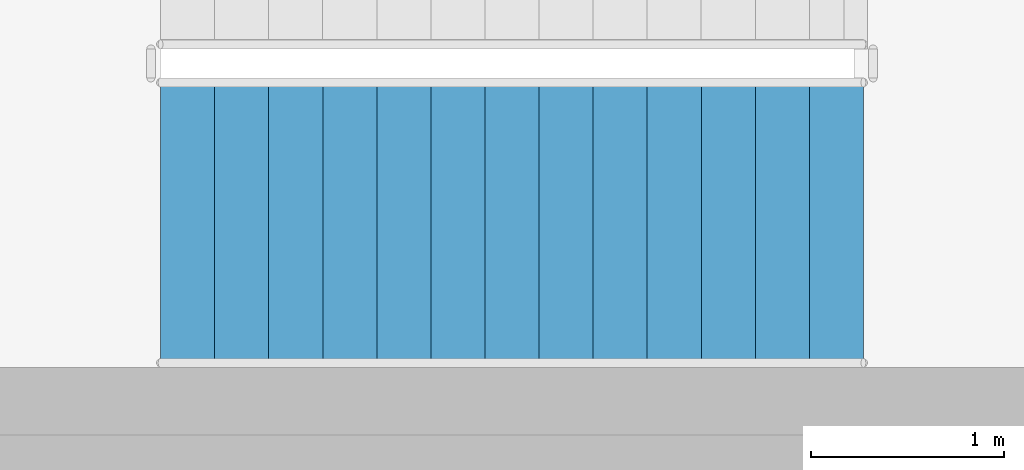
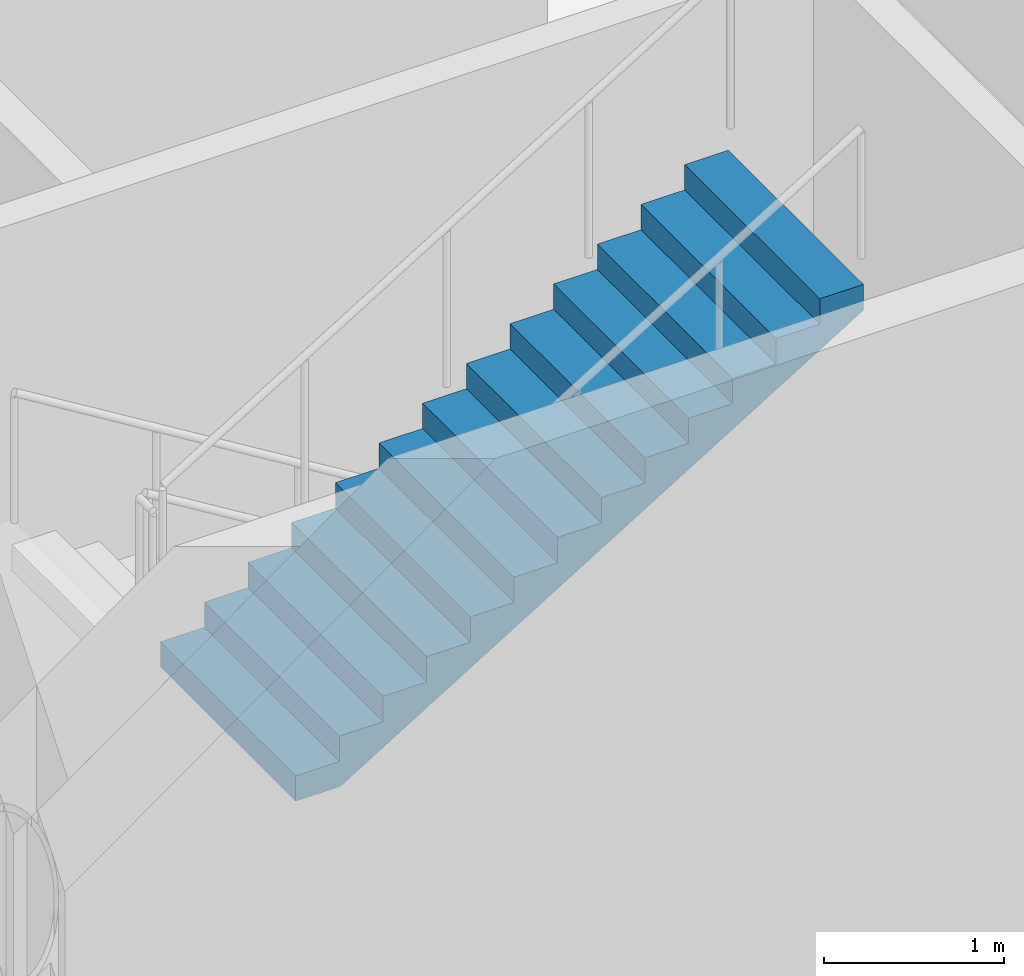
# One storey, part 55 of 91: 1 stair flight, 1 element without a shape of its own.
"""IFC4 building model written with IfcOpenShell, lengths in metres."""

import ifcopenshell
import ifcopenshell.guid

model = None  # the IFC model being written
_history = None  # IfcOwnerHistory: only IFC2X3 demands one
_inside = {}  # id of a spatial element -> (the spatial element, [elements in it])
_under = {}  # id of a project, library or spatial element -> (it, [spatial elements below it])
_declared = {}  # id of a project -> (the project, [libraries it declares])
_typed = {}  # id of a type object -> (the type object, [elements of that type])
_made_of = {}  # id of a material, layer set ... -> (it, [elements and type objects made of it])


def new_model(schema):
    """Start an empty IFC model of exactly this schema.

    Asked for "IFC4X3", IfcOpenShell would pick the latest addendum, in which some entities
    have other attributes; the version numbers below select the first issue.
    IFC2X3 requires an IfcOwnerHistory on every rooted entity: one is made here for all.
    """
    global model, _history
    if schema == "IFC4X3":
        model = ifcopenshell.file(schema_version=(4, 3, 0, 0))
    else:
        model = ifcopenshell.file(schema=schema)
    _inside.clear()
    _under.clear()
    _declared.clear()
    _typed.clear()
    _made_of.clear()
    _history = None
    if model.schema == "IFC2X3":
        org = make("IfcOrganization", Name="unknown")
        user = make(
            "IfcPersonAndOrganization",
            ThePerson=make("IfcPerson", FamilyName="unknown"),
            TheOrganization=org,
        )
        app = make(
            "IfcApplication",
            ApplicationDeveloper=org,
            Version="unknown",
            ApplicationFullName="unknown",
            ApplicationIdentifier="unknown",
        )
        _history = make(
            "IfcOwnerHistory",
            OwningUser=user,
            OwningApplication=app,
            ChangeAction="ADDED",
            CreationDate=0,
        )
    return model


def make(cls, **values):
    """One entity of the class cls with the attributes given. An attribute that is None is left unset."""
    return model.create_entity(
        cls, **{name: value for name, value in values.items() if value is not None}
    )


def rooted(cls, **values):
    """An entity with a GlobalId (a new one), such as an element, a storey or a relation."""
    return make(cls, GlobalId=ifcopenshell.guid.new(), OwnerHistory=_history, **values)


def si_unit(unit_type, name, prefix=None):
    """IfcSIUnit, for example si_unit("LENGTHUNIT", "METRE", prefix="MILLI")."""
    return make("IfcSIUnit", UnitType=unit_type, Prefix=prefix, Name=name)


def assignment(units):
    """IfcUnitAssignment: the units of a project."""
    return None if units is None else make("IfcUnitAssignment", Units=units)


def point(xyz):
    """IfcCartesianPoint."""
    return None if xyz is None else make("IfcCartesianPoint", Coordinates=xyz)


def direction(xyz):
    """IfcDirection."""
    return None if xyz is None else make("IfcDirection", DirectionRatios=xyz)


def frame(location, z_axis=None, x_axis=None):
    """IfcAxis2Placement3D, a coordinate frame: its origin and axes. An axis left out is left unset."""
    return make(
        "IfcAxis2Placement3D",
        Location=point(location),
        Axis=direction(z_axis),
        RefDirection=direction(x_axis),
    )


def origin():
    """The frame at (0, 0, 0) with its axes left unset."""
    return frame((0.0, 0.0, 0.0))


def place(relative_to, where):
    """IfcLocalPlacement: puts the frame where relative to a parent placement (None: the world)."""
    return make(
        "IfcLocalPlacement", PlacementRelTo=relative_to, RelativePlacement=where
    )


def context(
    kind, dimensions, precision=None, world=None, true_north=None, identifier=None
):
    """IfcGeometricRepresentationContext, for example the 3D "Model" context."""
    return make(
        "IfcGeometricRepresentationContext",
        ContextIdentifier=identifier,
        ContextType=kind,
        CoordinateSpaceDimension=dimensions,
        Precision=precision,
        WorldCoordinateSystem=world,
        TrueNorth=true_north,
    )


def subcontext(parent, identifier, kind, view, scale=None):
    """IfcGeometricRepresentationSubContext, for example "Body" below "Model"."""
    return make(
        "IfcGeometricRepresentationSubContext",
        ContextIdentifier=identifier,
        ContextType=kind,
        ParentContext=parent,
        TargetScale=scale,
        TargetView=view,
    )


def project(units=None, contexts=None):
    """IfcProject with its units and contexts."""
    return rooted(
        "IfcProject",
        Name="project",
        RepresentationContexts=contexts,
        UnitsInContext=assignment(units),
    )


def spatial(cls, under=None, at=None, **own):
    """A site, building, storey or space (cls), placed at a placement, below another one or the project."""
    s = rooted(cls, ObjectPlacement=at, **own)
    if under is not None:
        _under.setdefault(under.id(), (under, []))[1].append(s)
    return s


def point_list(points):
    """IfcCartesianPointList2D or 3D."""
    cls = (
        "IfcCartesianPointList2D" if len(points[0]) == 2 else "IfcCartesianPointList3D"
    )
    return make(cls, CoordList=points)


def triangles(points, corners, closed=None, point_numbers=None):
    """IfcTriangulatedFaceSet: each triangle names its three corners, points numbered from 1."""
    return make(
        "IfcTriangulatedFaceSet",
        Coordinates=point_list(points),
        Closed=closed,
        CoordIndex=corners,
        PnIndex=point_numbers,
    )


def shape(context_of_items, identifier, shape_type, items):
    """IfcShapeRepresentation: the items that make up one representation, for example the "Body"."""
    return make(
        "IfcShapeRepresentation",
        ContextOfItems=context_of_items,
        RepresentationIdentifier=identifier,
        RepresentationType=shape_type,
        Items=items,
    )


def material(Name=None, Category=None):
    """IfcMaterial."""
    return make("IfcMaterial", Name=Name, Category=Category)


def made_of(thing, what):
    """Note that an element or type object is made of a material, layer set ...; save() writes the relation."""
    if what is not None:
        _made_of.setdefault(what.id(), (what, []))[1].append(thing)
    return thing


def type_object(cls, material=None, **own):
    """A type object (cls), such as IfcWallType, which elements share."""
    return made_of(rooted(cls, **own), material)


def element(
    cls,
    number,
    at=None,
    inside=None,
    cuts=None,
    type_object=None,
    material=None,
    context=None,
    identifier="Body",
    shape_type=None,
    held_by="IfcProductDefinitionShape",
    body=None,
    shapes=None,
    **own,
):
    """One element of the class cls, such as IfcWall. Its Tag is "e" and its number.

    at: its placement. inside: the storey or other place that contains it. cuts: it is an
    opening in that element (IfcRelVoidsElement). A single representation is given by context,
    identifier, shape_type and body (its items); several are given by shapes. held_by: the class
    of the entity that holds the representations. save() writes the other relations.
    """
    e = rooted(cls, Tag="e%d" % number, ObjectPlacement=at, **own)
    if body is not None:
        shapes = [shape(context, identifier, shape_type, body)]
    if shapes is not None:
        e.Representation = make(held_by, Representations=shapes)
    if inside is not None:
        _inside.setdefault(inside.id(), (inside, []))[1].append(e)
    if cuts is not None:
        rooted(
            "IfcRelVoidsElement", RelatingBuildingElement=cuts, RelatedOpeningElement=e
        )
    if type_object is not None:
        _typed.setdefault(type_object.id(), (type_object, []))[1].append(e)
    return made_of(e, material)


def aggregate(whole, parts):
    """IfcRelAggregates: a whole, such as a stair, and the parts it consists of."""
    return rooted("IfcRelAggregates", RelatingObject=whole, RelatedObjects=parts)


def save(model, path):
    """Write the relations noted so far, then the file.

    IfcRelAggregates (storeys below a building ...), IfcRelContainedInSpatialStructure (elements
    in a storey), IfcRelDefinesByType, IfcRelAssociatesMaterial and IfcRelDeclares: one each for
    every whole, place, type object, material and project.
    """
    for whole, parts in _under.values():
        aggregate(whole, parts)
    for where, things in _inside.values():
        rooted(
            "IfcRelContainedInSpatialStructure",
            RelatedElements=things,
            RelatingStructure=where,
        )
    for kind, things in _typed.values():
        rooted("IfcRelDefinesByType", RelatedObjects=things, RelatingType=kind)
    for what, things in _made_of.values():
        rooted("IfcRelAssociatesMaterial", RelatedObjects=things, RelatingMaterial=what)
    for by, libraries in _declared.values():
        rooted("IfcRelDeclares", RelatingContext=by, RelatedDefinitions=libraries)
    model.write(path)


model = new_model("IFC4")

# Units and contexts
model_context = context("Model", 3, precision=1e-05, world=origin(), true_north=direction((0.0, 1.0)))
body_context = subcontext(model_context, "Body", "Model", "MODEL_VIEW")
ifc_project = project(units=[si_unit("LENGTHUNIT", "METRE"), si_unit("AREAUNIT", "SQUARE_METRE"), si_unit("VOLUMEUNIT", "CUBIC_METRE"), si_unit("PLANEANGLEUNIT", "RADIAN"), si_unit("MASSUNIT", "GRAM", prefix="KILO")], contexts=[model_context])

# Site, building, storey
site_placement = place(None, origin())
site = spatial("IfcSite", under=ifc_project, at=site_placement, CompositionType="ELEMENT")
building_placement = place(site_placement, origin())
building = spatial("IfcBuilding", under=site, at=building_placement, Name="Magnolia Steps Interchange", CompositionType="ELEMENT")
storey_placement = place(building_placement, origin())
storey = spatial("IfcBuildingStorey", under=building, at=storey_placement, Name="L00", CompositionType="ELEMENT", Elevation=0.0)

# Stair, stair flight
ifc_material_1 = material(Name="Concrete C40", Category="concrete")
stair_type = type_object("IfcStairType", Name="Exit stair 1500", PredefinedType="HALF_TURN_STAIR", material=ifc_material_1)
stair_placement = place(storey_placement, origin())
stair = element("IfcStair", 1, at=stair_placement, inside=storey, type_object=stair_type, Name="L00 Stair 5", PredefinedType="HALF_TURN_STAIR")
ifc_material_2 = material(Name="Concrete C40", Category="concrete")
stair_flight_type = type_object("IfcStairFlightType", Name="Exit stair flight", PredefinedType="STRAIGHT", material=ifc_material_2)
stair_flight_placement = place(storey_placement, frame((55.360107421875, 43.64990234375, 2.39990234375), z_axis=(0.0, 0.0, 1.0), x_axis=(1.0, 0.0, 0.0)))
stair_flight = element("IfcStairFlight", 2, at=stair_flight_placement, type_object=stair_flight_type, Name="Stair 5 flight 2", NumberOfRisers=14, NumberOfTreads=13, PredefinedType="STRAIGHT", RiserHeight=0.171428571, TreadLength=0.28, context=body_context, shape_type="Tessellation", body=[
    triangles([(0.0, -0.75, 0.0), (0.287109375, -0.75, 0.0), (3.639892578125, -0.75, 2.052734375), (3.639892578125, -0.75, 2.228515625), (3.360107421875, -0.75, 2.228515625), (3.360107421875, -0.75, 2.05712890625), (3.080078125, -0.75, 2.05712890625), (3.080078125, -0.75, 1.8857421875), (2.800048828125, -0.75, 1.8857421875), (2.800048828125, -0.75, 1.71435546875), (2.52001953125, -0.75, 1.71435546875), (2.52001953125, -0.75, 1.54296875), (2.239990234375, -0.75, 1.54296875), (2.239990234375, -0.75, 1.371337890625), (1.9599609375, -0.75, 1.371337890625), (1.9599609375, -0.75, 1.199951171875), (1.679931640625, -0.75, 1.199951171875), (1.679931640625, -0.75, 1.028564453125), (1.39990234375, -0.75, 1.028564453125), (1.39990234375, -0.75, 0.857177734375), (1.1201171875, -0.75, 0.857177734375), (1.1201171875, -0.75, 0.685791015625), (0.840087890625, -0.75, 0.685791015625), (0.840087890625, -0.75, 0.514404296875), (0.56005859375, -0.75, 0.514404296875), (0.56005859375, -0.75, 0.3427734375), (0.280029296875, -0.75, 0.3427734375), (0.280029296875, -0.75, 0.17138671875), (0.0, -0.75, 0.17138671875), (0.0, 0.75, 0.0), (0.287109375, 0.75, 0.0), (3.639892578125, 0.75, 2.052734375), (3.639892578125, 0.75, 2.228515625), (3.360107421875, 0.75, 2.228515625), (3.360107421875, 0.75, 2.05712890625), (3.080078125, 0.75, 2.05712890625), (3.080078125, 0.75, 1.8857421875), (2.800048828125, 0.75, 1.8857421875), (2.800048828125, 0.75, 1.71435546875), (2.52001953125, 0.75, 1.71435546875), (2.52001953125, 0.75, 1.54296875), (2.239990234375, 0.75, 1.54296875), (2.239990234375, 0.75, 1.371337890625), (1.9599609375, 0.75, 1.371337890625), (1.9599609375, 0.75, 1.199951171875), (1.679931640625, 0.75, 1.199951171875), (1.679931640625, 0.75, 1.028564453125), (1.39990234375, 0.75, 1.028564453125), (1.39990234375, 0.75, 0.857177734375), (1.1201171875, 0.75, 0.857177734375), (1.1201171875, 0.75, 0.685791015625), (0.840087890625, 0.75, 0.685791015625), (0.840087890625, 0.75, 0.514404296875), (0.56005859375, 0.75, 0.514404296875), (0.56005859375, 0.75, 0.3427734375), (0.280029296875, 0.75, 0.3427734375), (0.280029296875, 0.75, 0.17138671875), (0.0, 0.75, 0.17138671875), (0.0, 0.0, 0.0), (0.0, 0.0, 0.0428466796875), (0.0, 0.0, 0.085693359375), (0.0, 0.0, 0.1285400390625), (0.0, 0.0, 0.17138671875), (0.0, -0.05, 0.0), (0.0, -0.05, 0.17138671875), (0.0, 0.05, 0.0), (0.0, 0.05, 0.17138671875), (0.046671549479166664, 0.0, 0.17138671875), (0.09334309895833333, 0.0, 0.17138671875), (0.1400146484375, 0.0, 0.17138671875), (0.18668619791666666, 0.0, 0.17138671875), (0.23335774739583334, 0.0, 0.17138671875), (0.280029296875, 0.0, 0.17138671875), (0.280029296875, -0.05, 0.17138671875), (0.280029296875, 0.05, 0.17138671875), (0.280029296875, 0.0, 0.2142333984375), (0.280029296875, 0.0, 0.257080078125), (0.280029296875, 0.0, 0.2999267578125), (0.280029296875, 0.0, 0.3427734375), (0.280029296875, -0.05, 0.3427734375), (0.280029296875, 0.05, 0.3427734375), (0.3267008463541667, 0.0, 0.3427734375), (0.3733723958333333, 0.0, 0.3427734375), (0.4200439453125, 0.0, 0.3427734375), (0.46671549479166663, 0.0, 0.3427734375), (0.5133870442708334, 0.0, 0.3427734375), (0.56005859375, 0.0, 0.3427734375), (0.56005859375, -0.05, 0.3427734375), (0.56005859375, 0.05, 0.3427734375), (0.56005859375, 0.0, 0.38568115234375), (0.56005859375, 0.0, 0.4285888671875), (0.56005859375, 0.0, 0.47149658203125), (0.56005859375, 0.0, 0.514404296875), (0.56005859375, -0.05, 0.514404296875), (0.56005859375, 0.05, 0.514404296875), (0.6067301432291666, 0.0, 0.514404296875), (0.6534016927083334, 0.0, 0.514404296875), (0.7000732421875, 0.0, 0.514404296875), (0.7467447916666666, 0.0, 0.514404296875), (0.7934163411458334, 0.0, 0.514404296875), (0.840087890625, 0.0, 0.514404296875), (0.840087890625, -0.05, 0.514404296875), (0.840087890625, 0.05, 0.514404296875), (0.840087890625, 0.0, 0.5572509765625), (0.840087890625, 0.0, 0.60009765625), (0.840087890625, 0.0, 0.6429443359375), (0.840087890625, 0.0, 0.685791015625), (0.840087890625, -0.05, 0.685791015625), (0.840087890625, 0.05, 0.685791015625), (0.8867594401041666, 0.0, 0.685791015625), (0.9334309895833334, 0.0, 0.685791015625), (0.9801025390625, 0.0, 0.685791015625), (1.0267740885416667, 0.0, 0.685791015625), (1.0734456380208333, 0.0, 0.685791015625), (1.1201171875, 0.0, 0.685791015625), (1.1201171875, -0.05, 0.685791015625), (1.1201171875, 0.05, 0.685791015625), (1.1201171875, 0.0, 0.7286376953125), (1.1201171875, 0.0, 0.771484375), (1.1201171875, 0.0, 0.8143310546875), (1.1201171875, 0.0, 0.857177734375), (1.1201171875, -0.05, 0.857177734375), (1.1201171875, 0.05, 0.857177734375), (1.1900634765625, 0.0, 0.857177734375), (1.260009765625, 0.0, 0.857177734375), (1.3299560546875, 0.0, 0.857177734375), (1.39990234375, 0.0, 0.857177734375), (1.39990234375, -0.05, 0.857177734375), (1.39990234375, 0.05, 0.857177734375), (1.39990234375, 0.0, 0.9000244140625), (1.39990234375, 0.0, 0.94287109375), (1.39990234375, 0.0, 0.9857177734375), (1.39990234375, 0.0, 1.028564453125), (1.39990234375, -0.05, 1.028564453125), (1.39990234375, 0.05, 1.028564453125), (1.4465738932291667, 0.0, 1.028564453125), (1.4932454427083333, 0.0, 1.028564453125), (1.5399169921875, 0.0, 1.028564453125), (1.5865885416666667, 0.0, 1.028564453125), (1.6332600911458333, 0.0, 1.028564453125), (1.679931640625, 0.0, 1.028564453125), (1.679931640625, -0.05, 1.028564453125), (1.679931640625, 0.05, 1.028564453125), (1.679931640625, 0.0, 1.0714111328125), (1.679931640625, 0.0, 1.1142578125), (1.679931640625, 0.0, 1.1571044921875), (1.679931640625, 0.0, 1.199951171875), (1.679931640625, -0.05, 1.199951171875), (1.679931640625, 0.05, 1.199951171875), (1.7266031901041667, 0.0, 1.199951171875), (1.7732747395833333, 0.0, 1.199951171875), (1.8199462890625, 0.0, 1.199951171875), (1.8666178385416667, 0.0, 1.199951171875), (1.9132893880208333, 0.0, 1.199951171875), (1.9599609375, 0.0, 1.199951171875), (1.9599609375, -0.05, 1.199951171875), (1.9599609375, 0.05, 1.199951171875), (1.9599609375, 0.0, 1.2427978515625), (1.9599609375, 0.0, 1.28564453125), (1.9599609375, 0.0, 1.3284912109375), (1.9599609375, 0.0, 1.371337890625), (1.9599609375, -0.05, 1.371337890625), (1.9599609375, 0.05, 1.371337890625), (2.0066324869791665, 0.0, 1.371337890625), (2.0533040364583335, 0.0, 1.371337890625), (2.0999755859375, 0.0, 1.371337890625), (2.1466471354166665, 0.0, 1.371337890625), (2.1933186848958335, 0.0, 1.371337890625), (2.239990234375, 0.0, 1.371337890625), (2.239990234375, -0.05, 1.371337890625), (2.239990234375, 0.05, 1.371337890625), (2.239990234375, 0.0, 1.41424560546875), (2.239990234375, 0.0, 1.4571533203125), (2.239990234375, 0.0, 1.50006103515625), (2.239990234375, 0.0, 1.54296875), (2.239990234375, -0.05, 1.54296875), (2.239990234375, 0.05, 1.54296875), (2.2866617838541665, 0.0, 1.54296875), (2.3333333333333335, 0.0, 1.54296875), (2.3800048828125, 0.0, 1.54296875), (2.4266764322916665, 0.0, 1.54296875), (2.4733479817708335, 0.0, 1.54296875), (2.52001953125, 0.0, 1.54296875), (2.52001953125, -0.05, 1.54296875), (2.52001953125, 0.05, 1.54296875), (2.52001953125, 0.0, 1.5858154296875), (2.52001953125, 0.0, 1.628662109375), (2.52001953125, 0.0, 1.6715087890625), (2.52001953125, 0.0, 1.71435546875), (2.52001953125, -0.05, 1.71435546875), (2.52001953125, 0.05, 1.71435546875), (2.5666910807291665, 0.0, 1.71435546875), (2.6133626302083335, 0.0, 1.71435546875), (2.6600341796875, 0.0, 1.71435546875), (2.7067057291666665, 0.0, 1.71435546875), (2.7533772786458335, 0.0, 1.71435546875), (2.800048828125, 0.0, 1.71435546875), (2.800048828125, -0.05, 1.71435546875), (2.800048828125, 0.05, 1.71435546875), (2.800048828125, 0.0, 1.7572021484375), (2.800048828125, 0.0, 1.800048828125), (2.800048828125, 0.0, 1.8428955078125), (2.800048828125, 0.0, 1.8857421875), (2.800048828125, -0.05, 1.8857421875), (2.800048828125, 0.05, 1.8857421875), (2.8467203776041665, 0.0, 1.8857421875), (2.8933919270833335, 0.0, 1.8857421875), (2.9400634765625, 0.0, 1.8857421875), (2.9867350260416665, 0.0, 1.8857421875), (3.0334065755208335, 0.0, 1.8857421875), (3.080078125, 0.0, 1.8857421875), (3.080078125, -0.05, 1.8857421875), (3.080078125, 0.05, 1.8857421875), (3.080078125, 0.0, 1.9285888671875), (3.080078125, 0.0, 1.971435546875), (3.080078125, 0.0, 2.0142822265625), (3.080078125, 0.0, 2.05712890625), (3.080078125, -0.05, 2.05712890625), (3.080078125, 0.05, 2.05712890625), (3.1267496744791665, 0.0, 2.05712890625), (3.1734212239583335, 0.0, 2.05712890625), (3.2200927734375, 0.0, 2.05712890625), (3.2667643229166665, 0.0, 2.05712890625), (3.3134358723958335, 0.0, 2.05712890625), (3.360107421875, 0.0, 2.05712890625), (3.360107421875, -0.05, 2.05712890625), (3.360107421875, 0.05, 2.05712890625), (3.360107421875, 0.0, 2.0999755859375), (3.360107421875, 0.0, 2.142822265625), (3.360107421875, 0.0, 2.1856689453125), (3.360107421875, 0.0, 2.228515625), (3.360107421875, -0.05, 2.228515625), (3.360107421875, 0.05, 2.228515625), (3.4300537109375, 0.0, 2.228515625), (3.5, 0.0, 2.228515625), (3.5699462890625, 0.0, 2.228515625), (3.639892578125, 0.0, 2.228515625), (3.639892578125, -0.05, 2.228515625), (3.639892578125, 0.05, 2.228515625), (3.639892578125, 0.0, 2.1845703125), (3.639892578125, 0.0, 2.140625), (3.639892578125, 0.0, 2.0966796875), (3.639892578125, 0.0, 2.052734375), (3.639892578125, -0.05, 2.052734375), (3.639892578125, 0.05, 2.052734375), (3.582085971174569, 0.0, 2.0173424030172415), (3.524279364224138, 0.0, 1.9819504310344827), (3.466472757273707, 0.0, 1.9465584590517242), (3.408666150323276, 0.0, 1.9111664870689655), (3.3508595433728448, 0.0, 1.8757745150862069), (3.2930529364224137, 0.0, 1.8403825431034484), (3.2352463294719827, 0.0, 1.8049905711206897), (3.1774397225215516, 0.0, 1.769598599137931), (3.1196331155711206, 0.0, 1.7342066271551724), (3.0618265086206895, 0.0, 1.6988146551724137), (3.004019901670259, 0.0, 1.6634226831896552), (2.9462132947198274, 0.0, 1.6280307112068966), (2.888406687769397, 0.0, 1.592638739224138), (2.8306000808189653, 0.0, 1.5572467672413794), (2.7727934738685347, 0.0, 1.5218547952586206), (2.714986866918103, 0.0, 1.486462823275862), (2.6571802599676726, 0.0, 1.4510708512931034), (2.599373653017241, 0.0, 1.4156788793103448), (2.5415670460668105, 0.0, 1.3802869073275863), (2.483760439116379, 0.0, 1.3448949353448276), (2.4259538321659484, 0.0, 1.309502963362069), (2.3681472252155173, 0.0, 1.2741109913793105), (2.3103406182650863, 0.0, 1.2387190193965516), (2.2525340113146552, 0.0, 1.2033270474137931), (2.194727404364224, 0.0, 1.1679350754310345), (2.136920797413793, 0.0, 1.1325431034482758), (2.079114190463362, 0.0, 1.0971511314655173), (2.021307583512931, 0.0, 1.0617591594827587), (1.9635009765625, 0.0, 1.0263671875), (1.905694369612069, 0.0, 0.9909752155172413), (1.847887762661638, 0.0, 0.9555832435344827), (1.7900811557112069, 0.0, 0.9201912715517242), (1.7322745487607758, 0.0, 0.8847992995689655), (1.6744679418103448, 0.0, 0.8494073275862069), (1.6166613348599137, 0.0, 0.8140153556034482), (1.5588547279094827, 0.0, 0.7786233836206897), (1.5010481209590516, 0.0, 0.743231411637931), (1.4432415140086206, 0.0, 0.7078394396551724), (1.3854349070581895, 0.0, 0.6724474676724137), (1.3276283001077585, 0.0, 0.6370554956896552), (1.2698216931573274, 0.0, 0.6016635237068966), (1.2120150862068964, 0.0, 0.5662715517241379), (1.1542084792564653, 0.0, 0.5308795797413792), (1.0964018723060347, 0.0, 0.4954876077586208), (1.0385952653556036, 0.0, 0.4600956357758621), (0.9807886584051726, 0.0, 0.4247036637931034), (0.9229820514547415, 0.0, 0.38931169181034475), (0.8651754445043105, 0.0, 0.3539197198275863), (0.8073688375538794, 0.0, 0.3185277478448276), (0.7495622306034484, 0.0, 0.28313577586206895), (0.6917556236530173, 0.0, 0.24774380387931028), (0.6339490167025863, 0.0, 0.21235183189655182), (0.5761424097521552, 0.0, 0.17695985991379315), (0.5183358028017242, 0.0, 0.14156788793103448), (0.46052919585129315, 0.0, 0.1061759159482758), (0.4027225889008621, 0.0, 0.07078394396551735), (0.34491598195043105, 0.0, 0.03539197198275845), (0.287109375, 0.0, 0.0), (0.287109375, -0.05, 0.0), (0.287109375, 0.05, 0.0), (0.2392578125, 0.0, 0.0), (0.19140625, 0.0, 0.0), (0.1435546875, 0.0, 0.0), (0.095703125, 0.0, 0.0), (0.0478515625, 0.0, 0.0)], [[1, 2, 3], [3, 4, 5], [3, 5, 6], [3, 6, 7], [3, 7, 8], [8, 9, 10], [3, 8, 10], [10, 11, 12], [3, 10, 12], [12, 13, 14], [3, 12, 14], [14, 15, 16], [3, 14, 16], [16, 17, 18], [3, 16, 18], [18, 19, 20], [3, 18, 20], [20, 21, 22], [3, 20, 22], [22, 23, 24], [3, 22, 24], [24, 25, 26], [3, 24, 26], [26, 27, 28], [3, 26, 28], [1, 3, 28], [28, 29, 1], [30, 32, 31], [32, 34, 33], [32, 35, 34], [32, 36, 35], [32, 37, 36], [37, 39, 38], [32, 39, 37], [39, 41, 40], [32, 41, 39], [41, 43, 42], [32, 43, 41], [43, 45, 44], [32, 45, 43], [45, 47, 46], [32, 47, 45], [47, 49, 48], [32, 49, 47], [49, 51, 50], [32, 51, 49], [51, 53, 52], [32, 53, 51], [53, 55, 54], [32, 55, 53], [55, 57, 56], [32, 57, 55], [30, 57, 32], [57, 30, 58], [1, 29, 65], [1, 65, 64], [64, 60, 59], [64, 61, 60], [64, 65, 61], [65, 62, 61], [65, 63, 62], [30, 67, 58], [30, 66, 67], [66, 59, 60], [66, 60, 61], [66, 61, 67], [67, 61, 62], [67, 62, 63], [29, 28, 74], [29, 74, 65], [65, 68, 63], [65, 69, 68], [65, 70, 69], [65, 74, 70], [74, 71, 70], [74, 72, 71], [74, 73, 72], [58, 75, 57], [58, 67, 75], [67, 63, 68], [67, 68, 69], [67, 69, 70], [67, 70, 75], [75, 70, 71], [75, 71, 72], [75, 72, 73], [28, 27, 80], [28, 80, 74], [74, 76, 73], [74, 77, 76], [74, 80, 77], [80, 78, 77], [80, 79, 78], [57, 81, 56], [57, 75, 81], [75, 73, 76], [75, 76, 77], [75, 77, 81], [81, 77, 78], [81, 78, 79], [27, 26, 88], [27, 88, 80], [80, 82, 79], [80, 83, 82], [80, 84, 83], [80, 88, 84], [88, 85, 84], [88, 86, 85], [88, 87, 86], [56, 89, 55], [56, 81, 89], [81, 79, 82], [81, 82, 83], [81, 83, 84], [81, 84, 89], [89, 84, 85], [89, 85, 86], [89, 86, 87], [26, 25, 94], [26, 94, 88], [88, 90, 87], [88, 91, 90], [88, 94, 91], [94, 92, 91], [94, 93, 92], [55, 95, 54], [55, 89, 95], [89, 87, 90], [89, 90, 91], [89, 91, 95], [95, 91, 92], [95, 92, 93], [25, 24, 102], [25, 102, 94], [94, 96, 93], [94, 97, 96], [94, 98, 97], [94, 102, 98], [102, 99, 98], [102, 100, 99], [102, 101, 100], [54, 103, 53], [54, 95, 103], [95, 93, 96], [95, 96, 97], [95, 97, 98], [95, 98, 103], [103, 98, 99], [103, 99, 100], [103, 100, 101], [24, 23, 108], [24, 108, 102], [102, 104, 101], [102, 105, 104], [102, 108, 105], [108, 106, 105], [108, 107, 106], [53, 109, 52], [53, 103, 109], [103, 101, 104], [103, 104, 105], [103, 105, 109], [109, 105, 106], [109, 106, 107], [23, 22, 116], [23, 116, 108], [108, 110, 107], [108, 111, 110], [108, 112, 111], [108, 116, 112], [116, 113, 112], [116, 114, 113], [116, 115, 114], [52, 117, 51], [52, 109, 117], [109, 107, 110], [109, 110, 111], [109, 111, 112], [109, 112, 117], [117, 112, 113], [117, 113, 114], [117, 114, 115], [22, 21, 122], [22, 122, 116], [116, 118, 115], [116, 119, 118], [116, 122, 119], [122, 120, 119], [122, 121, 120], [51, 123, 50], [51, 117, 123], [117, 115, 118], [117, 118, 119], [117, 119, 123], [123, 119, 120], [123, 120, 121], [21, 20, 128], [21, 128, 122], [122, 124, 121], [122, 125, 124], [122, 128, 125], [128, 126, 125], [128, 127, 126], [50, 129, 49], [50, 123, 129], [123, 121, 124], [123, 124, 125], [123, 125, 129], [129, 125, 126], [129, 126, 127], [20, 19, 134], [20, 134, 128], [128, 130, 127], [128, 131, 130], [128, 134, 131], [134, 132, 131], [134, 133, 132], [49, 135, 48], [49, 129, 135], [129, 127, 130], [129, 130, 131], [129, 131, 135], [135, 131, 132], [135, 132, 133], [19, 18, 142], [19, 142, 134], [134, 136, 133], [134, 137, 136], [134, 138, 137], [134, 142, 138], [142, 139, 138], [142, 140, 139], [142, 141, 140], [48, 143, 47], [48, 135, 143], [135, 133, 136], [135, 136, 137], [135, 137, 138], [135, 138, 143], [143, 138, 139], [143, 139, 140], [143, 140, 141], [18, 17, 148], [18, 148, 142], [142, 144, 141], [142, 145, 144], [142, 148, 145], [148, 146, 145], [148, 147, 146], [47, 149, 46], [47, 143, 149], [143, 141, 144], [143, 144, 145], [143, 145, 149], [149, 145, 146], [149, 146, 147], [17, 16, 156], [17, 156, 148], [148, 150, 147], [148, 151, 150], [148, 152, 151], [148, 156, 152], [156, 153, 152], [156, 154, 153], [156, 155, 154], [46, 157, 45], [46, 149, 157], [149, 147, 150], [149, 150, 151], [149, 151, 152], [149, 152, 157], [157, 152, 153], [157, 153, 154], [157, 154, 155], [16, 15, 162], [16, 162, 156], [156, 158, 155], [156, 159, 158], [156, 162, 159], [162, 160, 159], [162, 161, 160], [45, 163, 44], [45, 157, 163], [157, 155, 158], [157, 158, 159], [157, 159, 163], [163, 159, 160], [163, 160, 161], [15, 14, 170], [15, 170, 162], [162, 164, 161], [162, 165, 164], [162, 166, 165], [162, 170, 166], [170, 167, 166], [170, 168, 167], [170, 169, 168], [44, 171, 43], [44, 163, 171], [163, 161, 164], [163, 164, 165], [163, 165, 166], [163, 166, 171], [171, 166, 167], [171, 167, 168], [171, 168, 169], [14, 13, 176], [14, 176, 170], [170, 172, 169], [170, 173, 172], [170, 176, 173], [176, 174, 173], [176, 175, 174], [43, 177, 42], [43, 171, 177], [171, 169, 172], [171, 172, 173], [171, 173, 177], [177, 173, 174], [177, 174, 175], [13, 12, 184], [13, 184, 176], [176, 178, 175], [176, 179, 178], [176, 180, 179], [176, 184, 180], [184, 181, 180], [184, 182, 181], [184, 183, 182], [42, 185, 41], [42, 177, 185], [177, 175, 178], [177, 178, 179], [177, 179, 180], [177, 180, 185], [185, 180, 181], [185, 181, 182], [185, 182, 183], [12, 11, 190], [12, 190, 184], [184, 186, 183], [184, 187, 186], [184, 190, 187], [190, 188, 187], [190, 189, 188], [41, 191, 40], [41, 185, 191], [185, 183, 186], [185, 186, 187], [185, 187, 191], [191, 187, 188], [191, 188, 189], [11, 10, 198], [11, 198, 190], [190, 192, 189], [190, 193, 192], [190, 194, 193], [190, 198, 194], [198, 195, 194], [198, 196, 195], [198, 197, 196], [40, 199, 39], [40, 191, 199], [191, 189, 192], [191, 192, 193], [191, 193, 194], [191, 194, 199], [199, 194, 195], [199, 195, 196], [199, 196, 197], [10, 9, 204], [10, 204, 198], [198, 200, 197], [198, 201, 200], [198, 204, 201], [204, 202, 201], [204, 203, 202], [39, 205, 38], [39, 199, 205], [199, 197, 200], [199, 200, 201], [199, 201, 205], [205, 201, 202], [205, 202, 203], [9, 8, 212], [9, 212, 204], [204, 206, 203], [204, 207, 206], [204, 208, 207], [204, 212, 208], [212, 209, 208], [212, 210, 209], [212, 211, 210], [38, 213, 37], [38, 205, 213], [205, 203, 206], [205, 206, 207], [205, 207, 208], [205, 208, 213], [213, 208, 209], [213, 209, 210], [213, 210, 211], [8, 7, 218], [8, 218, 212], [212, 214, 211], [212, 215, 214], [212, 218, 215], [218, 216, 215], [218, 217, 216], [37, 219, 36], [37, 213, 219], [213, 211, 214], [213, 214, 215], [213, 215, 219], [219, 215, 216], [219, 216, 217], [7, 6, 226], [7, 226, 218], [218, 220, 217], [218, 221, 220], [218, 222, 221], [218, 226, 222], [226, 223, 222], [226, 224, 223], [226, 225, 224], [36, 227, 35], [36, 219, 227], [219, 217, 220], [219, 220, 221], [219, 221, 222], [219, 222, 227], [227, 222, 223], [227, 223, 224], [227, 224, 225], [6, 5, 232], [6, 232, 226], [226, 228, 225], [226, 229, 228], [226, 232, 229], [232, 230, 229], [232, 231, 230], [35, 233, 34], [35, 227, 233], [227, 225, 228], [227, 228, 229], [227, 229, 233], [233, 229, 230], [233, 230, 231], [5, 4, 238], [5, 238, 232], [232, 234, 231], [232, 235, 234], [232, 238, 235], [238, 236, 235], [238, 237, 236], [34, 239, 33], [34, 233, 239], [233, 231, 234], [233, 234, 235], [233, 235, 239], [239, 235, 236], [239, 236, 237], [4, 3, 244], [4, 244, 238], [238, 240, 237], [238, 241, 240], [238, 244, 241], [244, 242, 241], [244, 243, 242], [33, 245, 32], [33, 239, 245], [239, 237, 240], [239, 240, 241], [239, 241, 245], [245, 241, 242], [245, 242, 243], [3, 2, 304], [3, 304, 244], [244, 246, 243], [244, 247, 246], [244, 248, 247], [244, 249, 248], [244, 250, 249], [244, 251, 250], [244, 252, 251], [244, 253, 252], [244, 254, 253], [244, 255, 254], [244, 256, 255], [244, 257, 256], [244, 258, 257], [244, 259, 258], [244, 260, 259], [244, 261, 260], [244, 262, 261], [244, 263, 262], [244, 264, 263], [244, 265, 264], [244, 266, 265], [244, 267, 266], [244, 268, 267], [244, 269, 268], [244, 270, 269], [244, 271, 270], [244, 272, 271], [244, 273, 272], [244, 274, 273], [244, 304, 274], [304, 275, 274], [304, 276, 275], [304, 277, 276], [304, 278, 277], [304, 279, 278], [304, 280, 279], [304, 281, 280], [304, 282, 281], [304, 283, 282], [304, 284, 283], [304, 285, 284], [304, 286, 285], [304, 287, 286], [304, 288, 287], [304, 289, 288], [304, 290, 289], [304, 291, 290], [304, 292, 291], [304, 293, 292], [304, 294, 293], [304, 295, 294], [304, 296, 295], [304, 297, 296], [304, 298, 297], [304, 299, 298], [304, 300, 299], [304, 301, 300], [304, 302, 301], [304, 303, 302], [32, 305, 31], [32, 245, 305], [245, 243, 246], [245, 246, 247], [245, 247, 248], [245, 248, 249], [245, 249, 250], [245, 250, 251], [245, 251, 252], [245, 252, 253], [245, 253, 254], [245, 254, 255], [245, 255, 256], [245, 256, 257], [245, 257, 258], [245, 258, 259], [245, 259, 260], [245, 260, 261], [245, 261, 262], [245, 262, 263], [245, 263, 264], [245, 264, 265], [245, 265, 266], [245, 266, 267], [245, 267, 268], [245, 268, 269], [245, 269, 270], [245, 270, 271], [245, 271, 272], [245, 272, 273], [245, 273, 274], [245, 274, 305], [305, 274, 275], [305, 275, 276], [305, 276, 277], [305, 277, 278], [305, 278, 279], [305, 279, 280], [305, 280, 281], [305, 281, 282], [305, 282, 283], [305, 283, 284], [305, 284, 285], [305, 285, 286], [305, 286, 287], [305, 287, 288], [305, 288, 289], [305, 289, 290], [305, 290, 291], [305, 291, 292], [305, 292, 293], [305, 293, 294], [305, 294, 295], [305, 295, 296], [305, 296, 297], [305, 297, 298], [305, 298, 299], [305, 299, 300], [305, 300, 301], [305, 301, 302], [305, 302, 303], [2, 1, 64], [2, 64, 304], [304, 306, 303], [304, 307, 306], [304, 308, 307], [304, 64, 308], [64, 309, 308], [64, 310, 309], [64, 59, 310], [31, 66, 30], [31, 305, 66], [305, 303, 306], [305, 306, 307], [305, 307, 308], [305, 308, 66], [66, 308, 309], [66, 309, 310], [66, 310, 59]], closed=True),
])
aggregate(stair, [stair_flight])

save(model, "model.ifc")
